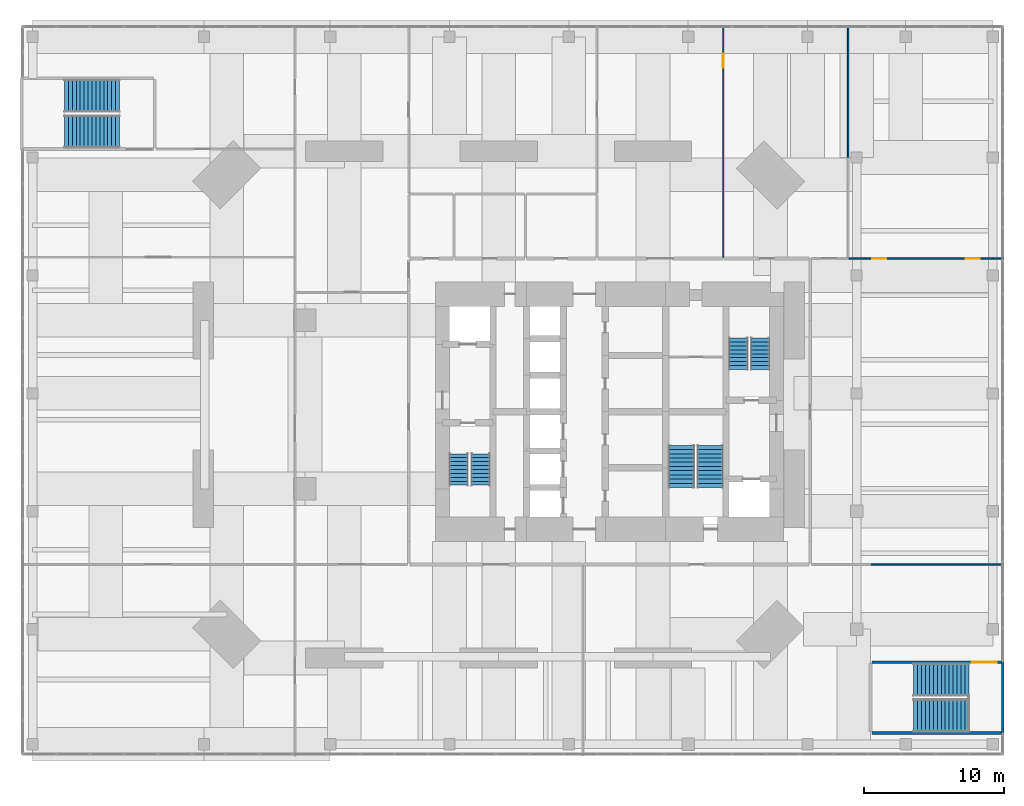
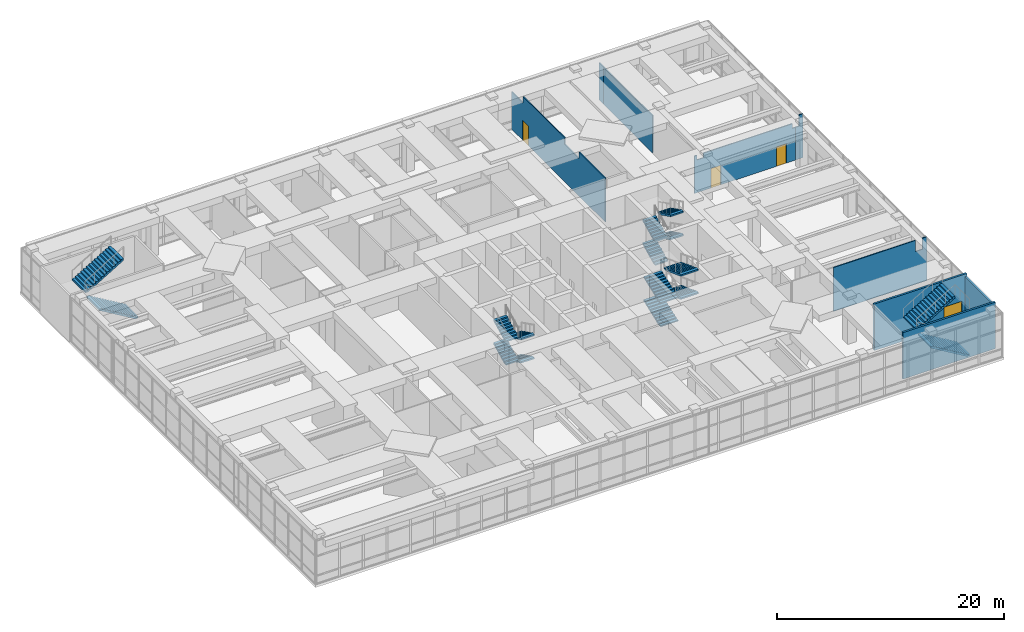
# One storey, part 22 of 24: 16 stair flights, 9 walls, 4 doors, 4 openings, 5 elements without a shape of their own.
"""IFC4 building model written with IfcOpenShell, lengths in metres."""

from ifc_helpers import new_model, si_unit, direction, frame, frame_2d, origin, place, context, subcontext, project, spatial, polyline, rectangle, outline, extrude, material, constituent, constituent_set, type_object, element, fill, aggregate, save


model = new_model("IFC4")

# Units and contexts
model_context = context("Model", 3, precision=1e-05, world=origin(), true_north=direction((0.0, 1.0)))
body_context = subcontext(model_context, "Body", "Model", "MODEL_VIEW")
ifc_project = project(units=[si_unit("LENGTHUNIT", "METRE"), si_unit("AREAUNIT", "SQUARE_METRE"), si_unit("VOLUMEUNIT", "CUBIC_METRE"), si_unit("PLANEANGLEUNIT", "RADIAN"), si_unit("MASSUNIT", "GRAM", prefix="KILO")], contexts=[model_context])

# Site, building, storey
site_placement = place(None, origin())
site = spatial("IfcSite", under=ifc_project, at=site_placement, CompositionType="ELEMENT")
building_placement = place(site_placement, origin())
building = spatial("IfcBuilding", under=site, at=building_placement, Name="Jalousie Tower", CompositionType="ELEMENT")
storey_placement = place(building_placement, frame((0.0, 0.0, 11.0)))
storey = spatial("IfcBuildingStorey", under=building, at=storey_placement, Name="L02", CompositionType="ELEMENT", Elevation=11.0)

# Walls
ifc_material_1 = material(Name="Concrete f'c 40 MPa", Category="concrete")
ifc_constituent_1 = constituent(ifc_material_1, Name="Body")
ifc_material_2 = material(Name="Render, pastel coral")
ifc_constituent_2 = constituent(ifc_material_2, Name="Finish")
ifc_constituent_set_1 = constituent_set(constituents=[ifc_constituent_1, ifc_constituent_2])
wall_type_1 = type_object("IfcWallType", Name="EXTERNAL WALL 175 CORAL RENDER", PredefinedType="SOLIDWALL", material=ifc_constituent_set_1)
wall_1_placement = place(storey_placement, frame((59.91259765625, -4.449951171875, 0.0), z_axis=(0.0, 0.0, 1.0), x_axis=(0.0, 1.0, 0.0)))
element("IfcWall", 1, at=wall_1_placement, inside=storey, type_object=wall_type_1, Name="External Wall 175 Coral Render L02", PredefinedType="SOLIDWALL", context=body_context, shape_type="SweptSolid", body=[
    extrude(rectangle(XDim=5.14990234375, YDim=0.175048828125, at=frame_2d((2.574951171875, 0.0))), origin(), (0.0, 0.0, 1.0), 4.719970703125),
])
ifc_material_3 = material(Name="Gypsum board", Category="gypsum")
ifc_constituent_3 = constituent(ifc_material_3, Name="Body")
ifc_material_4 = material(Name="Light-gauge steel studs ASTM A653 SS Grade 33", Category="steel")
ifc_constituent_4 = constituent(ifc_material_4, Name="Framing")
ifc_constituent_set_2 = constituent_set(constituents=[ifc_constituent_3, ifc_constituent_4])
wall_type_2 = type_object("IfcWallType", Name="PARTITION 100", PredefinedType="PARTITIONING", material=ifc_constituent_set_2)
wall_2_placement = place(storey_placement, frame((50.5, 7.60009765625, 0.0), z_axis=(0.0, 0.0, 1.0), x_axis=(1.0, 0.0, 0.0)))
element("IfcWall", 2, at=wall_2_placement, inside=storey, type_object=wall_type_2, Name="Partition 100 L02", PredefinedType="PARTITIONING", context=body_context, shape_type="SweptSolid", body=[
    extrude(outline(polyline([(0.0, 0.0), (9.5, 0.0), (9.5, 4.719970703125), (9.06005859375, 4.719970703125), (9.06005859375, 3.52001953125), (8.340087890625, 3.52001953125), (8.340087890625, 4.719970703125), (0.0, 4.719970703125), (0.0, 0.0)])), frame((0.0, 0.050048828125, 0.0), z_axis=(0.0, -1.0, 0.0), x_axis=(1.0, 0.0, 0.0)), (0.0, 0.0, 1.0), 0.10009765625),
])

# Wall, opening, door
wall_3_placement = place(storey_placement, frame((40.0, 29.5, 0.0), z_axis=(0.0, 0.0, 1.0), x_axis=(0.0, 1.0, 0.0)))
wall_3 = element("IfcWall", 3, at=wall_3_placement, inside=storey, type_object=wall_type_2, Name="Partition 100 L02", PredefinedType="PARTITIONING", context=body_context, shape_type="SweptSolid", body=[
    extrude(outline(polyline([(0.0, 0.0), (16.5, 0.0), (16.5, 4.719970703125), (16.5, 4.02001953125), (14.43994140625, 4.02001953125), (14.43994140625, 4.719970703125), (7.128662109375, 4.719970703125), (7.128662109375, 4.02001953125), (4.608642578125, 4.02001953125), (4.608642578125, 4.719970703125), (0.0, 4.719970703125), (0.0, 0.0)])), frame((0.0, 0.050048828125, 0.0), z_axis=(0.0, -1.0, 0.0), x_axis=(1.0, 0.0, 0.0)), (0.0, 0.0, 1.0), 0.10009765625),
])
opening_1_placement = place(wall_3_placement, frame((13.510009765625, 0.0, 0.0)))
opening_1 = element("IfcOpeningElement", 4, at=opening_1_placement, cuts=wall_3, Name="Opening D6", PredefinedType="OPENING", context=body_context, shape_type="SweptSolid", body=[
    extrude(rectangle(XDim=1.0, YDim=2.10009765625, at=frame_2d((0.5, 1.050048828125))), frame((0.0, 0.06005859375, 0.0), z_axis=(0.0, -1.0, 0.0), x_axis=(1.0, 0.0, 0.0)), (0.0, 0.0, 1.0), 0.1201171875),
])
ifc_material_5 = material(Name="Timber door", Category="wood")
door_type_1 = type_object("IfcDoorType", Name="INTERNAL DOOR 1000", OperationType="SINGLE_SWING_LEFT", PredefinedType="DOOR", material=ifc_material_5)
door_1_placement = place(opening_1_placement, origin())
door_1 = element("IfcDoor", 5, at=door_1_placement, inside=storey, type_object=door_type_1, Name="Cinema room second door", OperationType="SINGLE_SWING_RIGHT", OverallHeight=2.10009765625, OverallWidth=1.0, PredefinedType="DOOR", context=body_context, shape_type="SweptSolid", body=[
    extrude(rectangle(XDim=1.0, YDim=2.10009765625, at=frame_2d((0.5, 1.050048828125))), frame((0.0, 0.02490234375, 0.0), z_axis=(0.0, -1.0, 0.0), x_axis=(1.0, 0.0, 0.0)), (0.0, 0.0, 1.0), 0.050048828125),
])
fill(opening_1, door_1)

# Wall, openings, doors
wall_4_placement = place(storey_placement, frame((48.949951171875, 29.39990234375, 0.0), z_axis=(0.0, 0.0, 1.0), x_axis=(1.0, 0.0, 0.0)))
wall_4 = element("IfcWall", 6, at=wall_4_placement, inside=storey, type_object=wall_type_2, Name="Partition 100 L02-A", PredefinedType="PARTITIONING", context=body_context, shape_type="SweptSolid", body=[
    extrude(outline(polyline([(0.0, 0.0), (10.25, 0.0), (10.25, 3.52001953125), (9.949951171875, 3.52001953125), (9.949951171875, 4.02001953125), (0.909912109375, 4.02001953125), (0.909912109375, 3.52001953125), (0.25, 3.52001953125), (0.25, 4.02001953125), (0.0, 4.02001953125), (0.0, 0.0)])), frame((0.0, 0.050048828125, 0.0), z_axis=(0.0, -1.0, 0.0), x_axis=(1.0, 0.0, 0.0)), (0.0, 0.0, 1.0), 0.10009765625),
])
opening_2_placement = place(wall_4_placement, frame((1.669921875, 0.0, 0.0)))
opening_2 = element("IfcOpeningElement", 7, at=opening_2_placement, cuts=wall_4, Name="Opening D6", PredefinedType="OPENING", context=body_context, shape_type="SweptSolid", body=[
    extrude(rectangle(XDim=1.0, YDim=2.10009765625, at=frame_2d((0.5, 1.050048828125))), frame((0.0, 0.06005859375, 0.0), z_axis=(0.0, -1.0, 0.0), x_axis=(1.0, 0.0, 0.0)), (0.0, 0.0, 1.0), 0.1201171875),
])
opening_3_placement = place(wall_4_placement, frame((8.330078125, 0.0, 0.0)))
opening_3 = element("IfcOpeningElement", 8, at=opening_3_placement, cuts=wall_4, Name="Opening D6", PredefinedType="OPENING", context=body_context, shape_type="SweptSolid", body=[
    extrude(rectangle(XDim=1.0, YDim=2.10009765625, at=frame_2d((0.5, 1.050048828125))), frame((0.0, 0.06005859375, 0.0), z_axis=(0.0, -1.0, 0.0), x_axis=(1.0, 0.0, 0.0)), (0.0, 0.0, 1.0), 0.1201171875),
])
door_2_placement = place(opening_2_placement, origin())
door_2 = element("IfcDoor", 9, at=door_2_placement, inside=storey, type_object=door_type_1, Name="Storage lockers door", OperationType="SINGLE_SWING_LEFT", OverallHeight=2.10009765625, OverallWidth=1.0, PredefinedType="DOOR", context=body_context, shape_type="SweptSolid", body=[
    extrude(rectangle(XDim=1.0, YDim=2.10009765625, at=frame_2d((0.5, 1.050048828125))), frame((0.0, 0.02490234375, 0.0), z_axis=(0.0, -1.0, 0.0), x_axis=(1.0, 0.0, 0.0)), (0.0, 0.0, 1.0), 0.050048828125),
])
fill(opening_2, door_2)
door_3_placement = place(opening_3_placement, origin())
door_3 = element("IfcDoor", 10, at=door_3_placement, inside=storey, type_object=door_type_1, Name="Storage lockers second door", OperationType="SINGLE_SWING_RIGHT", OverallHeight=2.10009765625, OverallWidth=1.0, PredefinedType="DOOR", context=body_context, shape_type="SweptSolid", body=[
    extrude(rectangle(XDim=1.0, YDim=2.10009765625, at=frame_2d((0.5, 1.050048828125))), frame((0.0, 0.02490234375, 0.0), z_axis=(0.0, -1.0, 0.0), x_axis=(1.0, 0.0, 0.0)), (0.0, 0.0, 1.0), 0.050048828125),
])
fill(opening_3, door_3)

# Walls
wall_5_placement = place(storey_placement, frame((59.199951171875, 29.39990234375, 0.0), z_axis=(0.0, 0.0, 1.0), x_axis=(1.0, 0.0, 0.0)))
element("IfcWall", 11, at=wall_5_placement, inside=storey, type_object=wall_type_2, Name="Partition 100 L02-B", PredefinedType="PARTITIONING", context=body_context, shape_type="SweptSolid", body=[
    extrude(outline(polyline([(0.0, 0.0), (0.800048828125, 0.0), (0.800048828125, 4.719970703125), (0.360107421875, 4.719970703125), (0.360107421875, 3.52001953125), (0.0, 3.52001953125), (0.0, 0.0)])), frame((0.0, 0.050048828125, 0.0), z_axis=(0.0, -1.0, 0.0), x_axis=(1.0, 0.0, 0.0)), (0.0, 0.0, 1.0), 0.10009765625),
])
wall_6_placement = place(storey_placement, frame((48.89990234375, 36.60009765625, 0.0), z_axis=(0.0, 0.0, 1.0), x_axis=(0.0, 1.0, 0.0)))
element("IfcWall", 12, at=wall_6_placement, inside=storey, type_object=wall_type_2, Name="Partition 100 L02-B", PredefinedType="PARTITIONING", context=body_context, shape_type="SweptSolid", body=[
    extrude(rectangle(XDim=8.599853515625, YDim=0.10009765625, at=frame_2d((4.2998046875, 0.0))), origin(), (0.0, 0.0, 1.0), 4.02001953125),
])
wall_7_placement = place(storey_placement, frame((48.89990234375, 45.199951171875, 0.0), z_axis=(0.0, 0.0, 1.0), x_axis=(0.0, 1.0, 0.0)))
element("IfcWall", 13, at=wall_7_placement, inside=storey, type_object=wall_type_2, Name="Partition 100 L02-C", PredefinedType="PARTITIONING", context=body_context, shape_type="SweptSolid", body=[
    extrude(rectangle(XDim=0.800048828125, YDim=0.10009765625, at=frame_2d((0.39990234375, 0.0))), origin(), (0.0, 0.0, 1.0), 4.02001953125),
])
ifc_material_6 = material(Name="Concrete block ASTM C90", Category="concrete")
ifc_constituent_5 = constituent(ifc_material_6, Name="Body")
ifc_material_7 = material(Name="Render")
ifc_constituent_6 = constituent(ifc_material_7, Name="Finish")
ifc_constituent_set_3 = constituent_set(constituents=[ifc_constituent_5, ifc_constituent_6])
wall_type_3 = type_object("IfcWallType", Name="STAIR WALL 200", PredefinedType="SOLIDWALL", material=ifc_constituent_set_3)
wall_8_placement = place(storey_placement, frame((50.60009765625, -4.39990234375, 0.0), z_axis=(0.0, 0.0, 1.0), x_axis=(1.0, 0.0, 0.0)))
element("IfcWall", 14, at=wall_8_placement, inside=storey, type_object=wall_type_3, Name="Stair Wall 200 L02", PredefinedType="SOLIDWALL", context=body_context, shape_type="SweptSolid", body=[
    extrude(rectangle(XDim=9.39990234375, YDim=0.199951171875, at=frame_2d((4.699951171875, 0.0))), origin(), (0.0, 0.0, 1.0), 5.0),
])

# Wall, opening, door
wall_9_placement = place(storey_placement, frame((50.60009765625, 0.64990234375, 0.0), z_axis=(0.0, 0.0, 1.0), x_axis=(1.0, 0.0, 0.0)))
wall_9 = element("IfcWall", 15, at=wall_9_placement, inside=storey, type_object=wall_type_3, Name="Stair Wall 200 L02", PredefinedType="SOLIDWALL", context=body_context, shape_type="SweptSolid", body=[
    extrude(rectangle(XDim=9.39990234375, YDim=0.199951171875, at=frame_2d((4.699951171875, 0.0))), origin(), (0.0, 0.0, 1.0), 5.0),
])
opening_4_placement = place(wall_9_placement, frame((7.094970703125, 0.0, 0.0)))
opening_4 = element("IfcOpeningElement", 16, at=opening_4_placement, cuts=wall_9, Name="Opening D17", PredefinedType="OPENING", context=body_context, shape_type="SweptSolid", body=[
    extrude(rectangle(XDim=1.800048828125, YDim=2.199951171875, at=frame_2d((0.89990234375, 1.10009765625))), frame((0.0, 0.10986328125, 0.0), z_axis=(0.0, -1.0, 0.0), x_axis=(1.0, 0.0, 0.0)), (0.0, 0.0, 1.0), 0.219970703125),
])
ifc_material_8 = material(Name="Steel fire door", Category="steel")
door_type_2 = type_object("IfcDoorType", Name="STAIR DOOR 1800", OperationType="DOUBLE_DOOR_SINGLE_SWING", PredefinedType="DOOR", material=ifc_material_8)
door_4_placement = place(opening_4_placement, frame((1.800048828125, 0.0, 0.0), z_axis=(0.0, 0.0, 1.0), x_axis=(-1.0, 0.0, 0.0)))
door_4 = element("IfcDoor", 17, at=door_4_placement, inside=storey, type_object=door_type_2, Name="Stair PS2 door", OperationType="DOUBLE_DOOR_SINGLE_SWING", OverallHeight=2.199951171875, OverallWidth=1.800048828125, PredefinedType="DOOR", context=body_context, shape_type="SweptSolid", body=[
    extrude(rectangle(XDim=1.800048828125, YDim=2.199951171875, at=frame_2d((0.89990234375, 1.10009765625))), frame((0.0, 0.02490234375, 0.0), z_axis=(0.0, -1.0, 0.0), x_axis=(1.0, 0.0, 0.0)), (0.0, 0.0, 1.0), 0.050048828125),
])
fill(opening_4, door_4)

# Stair, stair flights
ifc_material_9 = material(Name="Concrete f'c 40 MPa", Category="concrete")
stair_type_1 = type_object("IfcStairType", Name="EXIT STAIR", PredefinedType="HALF_TURN_STAIR", material=ifc_material_9)
stair_1_placement = place(storey_placement, origin())
stair_1 = element("IfcStair", 18, at=stair_1_placement, inside=storey, type_object=stair_type_1, Name="Exit stair A L02", PredefinedType="HALF_TURN_STAIR")
ifc_material_10 = material(Name="Concrete f'c 40 MPa", Category="concrete")
stair_flight_type_1 = type_object("IfcStairFlightType", Name="STAIR FLIGHT", PredefinedType="STRAIGHT", material=ifc_material_10)
stair_flight_1_placement = place(storey_placement, frame((22.71875, 15.49755859375, 0.0), z_axis=(0.0, 0.0, 1.0), x_axis=(0.0, -1.0, 0.0)))
stair_flight_1 = element("IfcStairFlight", 19, at=stair_flight_1_placement, type_object=stair_flight_type_1, Name="ST-A flight 1", NumberOfRisers=9, NumberOfTreads=8, PredefinedType="STRAIGHT", RiserHeight=0.138888889, TreadLength=0.28, context=body_context, shape_type="SweptSolid", body=[
    extrude(outline(polyline([(0.0, 0.0), (0.0, 0.138916015625), (0.280029296875, 0.138916015625), (0.280029296875, 0.27783203125), (0.56005859375, 0.27783203125), (0.56005859375, 0.416748046875), (0.840087890625, 0.416748046875), (0.840087890625, 0.5556640625), (1.1201171875, 0.5556640625), (1.1201171875, 0.6943359375), (1.39990234375, 0.6943359375), (1.39990234375, 0.833251953125), (1.679931640625, 0.833251953125), (1.679931640625, 0.97216796875), (1.9599609375, 0.97216796875), (1.9599609375, 1.111083984375), (2.239990234375, 1.111083984375), (2.239990234375, 1.25), (2.239990234375, 0.94384765625), (0.33740234375, 0.0), (0.0, 0.0)])), frame((0.0, 0.65625, 0.0), z_axis=(0.0, -1.0, 0.0), x_axis=(1.0, 0.0, 0.0)), (0.0, 0.0, 1.0), 1.3125),
])
stair_flight_2_placement = place(storey_placement, frame((21.15625, 13.257568359375, 1.25), z_axis=(0.0, 0.0, 1.0), x_axis=(0.0, 1.0, 0.0)))
stair_flight_2 = element("IfcStairFlight", 20, at=stair_flight_2_placement, type_object=stair_flight_type_1, Name="ST-A flight 2", NumberOfRisers=9, NumberOfTreads=8, PredefinedType="STRAIGHT", RiserHeight=0.138888889, TreadLength=0.28, context=body_context, shape_type="SweptSolid", body=[
    extrude(outline(polyline([(0.0, 0.0), (0.0, 0.138916015625), (0.280029296875, 0.138916015625), (0.280029296875, 0.27783203125), (0.56005859375, 0.27783203125), (0.56005859375, 0.416748046875), (0.840087890625, 0.416748046875), (0.840087890625, 0.5556640625), (1.1201171875, 0.5556640625), (1.1201171875, 0.6943359375), (1.39990234375, 0.6943359375), (1.39990234375, 0.833251953125), (1.679931640625, 0.833251953125), (1.679931640625, 0.97216796875), (1.9599609375, 0.97216796875), (1.9599609375, 1.111083984375), (2.239990234375, 1.111083984375), (2.239990234375, 1.25), (2.239990234375, 0.94384765625), (0.33740234375, 0.0), (0.0, 0.0)])), frame((0.0, 0.65625, 0.0), z_axis=(0.0, -1.0, 0.0), x_axis=(1.0, 0.0, 0.0)), (0.0, 0.0, 1.0), 1.3125),
])
stair_flight_3_placement = place(storey_placement, frame((22.71875, 15.49755859375, 2.5), z_axis=(0.0, 0.0, 1.0), x_axis=(0.0, -1.0, 0.0)))
stair_flight_3 = element("IfcStairFlight", 21, at=stair_flight_3_placement, type_object=stair_flight_type_1, Name="ST-A flight 3", NumberOfRisers=9, NumberOfTreads=8, PredefinedType="STRAIGHT", RiserHeight=0.138888889, TreadLength=0.28, context=body_context, shape_type="SweptSolid", body=[
    extrude(outline(polyline([(0.0, 0.0), (0.0, 0.138916015625), (0.280029296875, 0.138916015625), (0.280029296875, 0.27783203125), (0.56005859375, 0.27783203125), (0.56005859375, 0.416748046875), (0.840087890625, 0.416748046875), (0.840087890625, 0.5556640625), (1.1201171875, 0.5556640625), (1.1201171875, 0.6943359375), (1.39990234375, 0.6943359375), (1.39990234375, 0.833251953125), (1.679931640625, 0.833251953125), (1.679931640625, 0.97216796875), (1.9599609375, 0.97216796875), (1.9599609375, 1.111083984375), (2.239990234375, 1.111083984375), (2.239990234375, 1.25), (2.239990234375, 0.94384765625), (0.33740234375, 0.0), (0.0, 0.0)])), frame((0.0, 0.65625, 0.0), z_axis=(0.0, -1.0, 0.0), x_axis=(1.0, 0.0, 0.0)), (0.0, 0.0, 1.0), 1.3125),
])
stair_flight_4_placement = place(storey_placement, frame((21.15625, 13.257568359375, 3.75), z_axis=(0.0, 0.0, 1.0), x_axis=(0.0, 1.0, 0.0)))
stair_flight_4 = element("IfcStairFlight", 22, at=stair_flight_4_placement, type_object=stair_flight_type_1, Name="ST-A flight 4", NumberOfRisers=9, NumberOfTreads=8, PredefinedType="STRAIGHT", RiserHeight=0.138888889, TreadLength=0.28, context=body_context, shape_type="SweptSolid", body=[
    extrude(outline(polyline([(0.0, 0.0), (0.0, 0.138916015625), (0.280029296875, 0.138916015625), (0.280029296875, 0.27783203125), (0.56005859375, 0.27783203125), (0.56005859375, 0.416748046875), (0.840087890625, 0.416748046875), (0.840087890625, 0.5556640625), (1.1201171875, 0.5556640625), (1.1201171875, 0.6943359375), (1.39990234375, 0.6943359375), (1.39990234375, 0.833251953125), (1.679931640625, 0.833251953125), (1.679931640625, 0.97216796875), (1.9599609375, 0.97216796875), (1.9599609375, 1.111083984375), (2.239990234375, 1.111083984375), (2.239990234375, 1.25), (2.239990234375, 0.94384765625), (0.33740234375, 0.0), (0.0, 0.0)])), frame((0.0, 0.65625, 0.0), z_axis=(0.0, -1.0, 0.0), x_axis=(1.0, 0.0, 0.0)), (0.0, 0.0, 1.0), 1.3125),
])
aggregate(stair_1, [stair_flight_1, stair_flight_2, stair_flight_3, stair_flight_4])

stair_2_placement = place(storey_placement, origin())
stair_2 = element("IfcStair", 23, at=stair_2_placement, inside=storey, type_object=stair_type_1, Name="Exit stair B L02", PredefinedType="HALF_TURN_STAIR")
stair_flight_5_placement = place(storey_placement, frame((41.081298828125, 21.50244140625, 0.0), z_axis=(0.0, 0.0, 1.0), x_axis=(0.0, 1.0, 0.0)))
stair_flight_5 = element("IfcStairFlight", 24, at=stair_flight_5_placement, type_object=stair_flight_type_1, Name="ST-B flight 1", NumberOfRisers=9, NumberOfTreads=8, PredefinedType="STRAIGHT", RiserHeight=0.138888889, TreadLength=0.28, context=body_context, shape_type="SweptSolid", body=[
    extrude(outline(polyline([(0.0, 0.0), (0.0, 0.138916015625), (0.280029296875, 0.138916015625), (0.280029296875, 0.27783203125), (0.56005859375, 0.27783203125), (0.56005859375, 0.416748046875), (0.840087890625, 0.416748046875), (0.840087890625, 0.5556640625), (1.1201171875, 0.5556640625), (1.1201171875, 0.6943359375), (1.39990234375, 0.6943359375), (1.39990234375, 0.833251953125), (1.679931640625, 0.833251953125), (1.679931640625, 0.97216796875), (1.9599609375, 0.97216796875), (1.9599609375, 1.111083984375), (2.239990234375, 1.111083984375), (2.239990234375, 1.25), (2.239990234375, 0.94384765625), (0.33740234375, 0.0), (0.0, 0.0)])), frame((0.0, 0.65625, 0.0), z_axis=(0.0, -1.0, 0.0), x_axis=(1.0, 0.0, 0.0)), (0.0, 0.0, 1.0), 1.3125),
])
stair_flight_6_placement = place(storey_placement, frame((42.643798828125, 23.742431640625, 1.25), z_axis=(0.0, 0.0, 1.0), x_axis=(0.0, -1.0, 0.0)))
stair_flight_6 = element("IfcStairFlight", 25, at=stair_flight_6_placement, type_object=stair_flight_type_1, Name="ST-B flight 2", NumberOfRisers=9, NumberOfTreads=8, PredefinedType="STRAIGHT", RiserHeight=0.138888889, TreadLength=0.28, context=body_context, shape_type="SweptSolid", body=[
    extrude(outline(polyline([(0.0, 0.0), (0.0, 0.138916015625), (0.280029296875, 0.138916015625), (0.280029296875, 0.27783203125), (0.56005859375, 0.27783203125), (0.56005859375, 0.416748046875), (0.840087890625, 0.416748046875), (0.840087890625, 0.5556640625), (1.1201171875, 0.5556640625), (1.1201171875, 0.6943359375), (1.39990234375, 0.6943359375), (1.39990234375, 0.833251953125), (1.679931640625, 0.833251953125), (1.679931640625, 0.97216796875), (1.9599609375, 0.97216796875), (1.9599609375, 1.111083984375), (2.239990234375, 1.111083984375), (2.239990234375, 1.25), (2.239990234375, 0.94384765625), (0.33740234375, 0.0), (0.0, 0.0)])), frame((0.0, 0.65625, 0.0), z_axis=(0.0, -1.0, 0.0), x_axis=(1.0, 0.0, 0.0)), (0.0, 0.0, 1.0), 1.3125),
])
stair_flight_7_placement = place(storey_placement, frame((41.081298828125, 21.50244140625, 2.5), z_axis=(0.0, 0.0, 1.0), x_axis=(0.0, 1.0, 0.0)))
stair_flight_7 = element("IfcStairFlight", 26, at=stair_flight_7_placement, type_object=stair_flight_type_1, Name="ST-B flight 3", NumberOfRisers=9, NumberOfTreads=8, PredefinedType="STRAIGHT", RiserHeight=0.138888889, TreadLength=0.28, context=body_context, shape_type="SweptSolid", body=[
    extrude(outline(polyline([(0.0, 0.0), (0.0, 0.138916015625), (0.280029296875, 0.138916015625), (0.280029296875, 0.27783203125), (0.56005859375, 0.27783203125), (0.56005859375, 0.416748046875), (0.840087890625, 0.416748046875), (0.840087890625, 0.5556640625), (1.1201171875, 0.5556640625), (1.1201171875, 0.6943359375), (1.39990234375, 0.6943359375), (1.39990234375, 0.833251953125), (1.679931640625, 0.833251953125), (1.679931640625, 0.97216796875), (1.9599609375, 0.97216796875), (1.9599609375, 1.111083984375), (2.239990234375, 1.111083984375), (2.239990234375, 1.25), (2.239990234375, 0.94384765625), (0.33740234375, 0.0), (0.0, 0.0)])), frame((0.0, 0.65625, 0.0), z_axis=(0.0, -1.0, 0.0), x_axis=(1.0, 0.0, 0.0)), (0.0, 0.0, 1.0), 1.3125),
])
stair_flight_8_placement = place(storey_placement, frame((42.643798828125, 23.742431640625, 3.75), z_axis=(0.0, 0.0, 1.0), x_axis=(0.0, -1.0, 0.0)))
stair_flight_8 = element("IfcStairFlight", 27, at=stair_flight_8_placement, type_object=stair_flight_type_1, Name="ST-B flight 4", NumberOfRisers=9, NumberOfTreads=8, PredefinedType="STRAIGHT", RiserHeight=0.138888889, TreadLength=0.28, context=body_context, shape_type="SweptSolid", body=[
    extrude(outline(polyline([(0.0, 0.0), (0.0, 0.138916015625), (0.280029296875, 0.138916015625), (0.280029296875, 0.27783203125), (0.56005859375, 0.27783203125), (0.56005859375, 0.416748046875), (0.840087890625, 0.416748046875), (0.840087890625, 0.5556640625), (1.1201171875, 0.5556640625), (1.1201171875, 0.6943359375), (1.39990234375, 0.6943359375), (1.39990234375, 0.833251953125), (1.679931640625, 0.833251953125), (1.679931640625, 0.97216796875), (1.9599609375, 0.97216796875), (1.9599609375, 1.111083984375), (2.239990234375, 1.111083984375), (2.239990234375, 1.25), (2.239990234375, 0.94384765625), (0.33740234375, 0.0), (0.0, 0.0)])), frame((0.0, 0.65625, 0.0), z_axis=(0.0, -1.0, 0.0), x_axis=(1.0, 0.0, 0.0)), (0.0, 0.0, 1.0), 1.3125),
])
aggregate(stair_2, [stair_flight_5, stair_flight_6, stair_flight_7, stair_flight_8])

stair_3_placement = place(storey_placement, origin())
stair_3 = element("IfcStair", 28, at=stair_3_placement, inside=storey, type_object=stair_type_1, Name="Exit stair C L02", PredefinedType="HALF_TURN_STAIR")
stair_flight_9_placement = place(storey_placement, frame((37.02490234375, 13.097412109375, 0.0), z_axis=(0.0, 0.0, 1.0), x_axis=(0.0, 1.0, 0.0)))
stair_flight_9 = element("IfcStairFlight", 29, at=stair_flight_9_placement, type_object=stair_flight_type_1, Name="ST-C flight 1", NumberOfRisers=11, NumberOfTreads=10, PredefinedType="STRAIGHT", RiserHeight=0.113636364, TreadLength=0.3, context=body_context, shape_type="SweptSolid", body=[
    extrude(outline(polyline([(0.0, 0.0), (0.0, 0.113525390625), (0.300048828125, 0.113525390625), (0.300048828125, 0.227294921875), (0.60009765625, 0.227294921875), (0.60009765625, 0.3408203125), (0.89990234375, 0.3408203125), (0.89990234375, 0.45458984375), (1.199951171875, 0.45458984375), (1.199951171875, 0.568115234375), (1.5, 0.568115234375), (1.5, 0.681884765625), (1.800048828125, 0.681884765625), (1.800048828125, 0.79541015625), (2.10009765625, 0.79541015625), (2.10009765625, 0.9091796875), (2.39990234375, 0.9091796875), (2.39990234375, 1.022705078125), (2.699951171875, 1.022705078125), (2.699951171875, 1.136474609375), (3.0, 1.136474609375), (3.0, 1.25), (3.0, 0.97607421875), (0.423095703125, 0.0), (0.0, 0.0)])), frame((0.0, 0.89990234375, 0.0), z_axis=(0.0, -1.0, 0.0), x_axis=(1.0, 0.0, 0.0)), (0.0, 0.0, 1.0), 1.800048828125),
])
stair_flight_10_placement = place(storey_placement, frame((39.074951171875, 16.097412109375, 1.25), z_axis=(0.0, 0.0, 1.0), x_axis=(0.0, -1.0, 0.0)))
stair_flight_10 = element("IfcStairFlight", 30, at=stair_flight_10_placement, type_object=stair_flight_type_1, Name="ST-C flight 2", NumberOfRisers=11, NumberOfTreads=10, PredefinedType="STRAIGHT", RiserHeight=0.113636364, TreadLength=0.3, context=body_context, shape_type="SweptSolid", body=[
    extrude(outline(polyline([(0.0, 0.0), (0.0, 0.113525390625), (0.300048828125, 0.113525390625), (0.300048828125, 0.227294921875), (0.60009765625, 0.227294921875), (0.60009765625, 0.3408203125), (0.89990234375, 0.3408203125), (0.89990234375, 0.45458984375), (1.199951171875, 0.45458984375), (1.199951171875, 0.568115234375), (1.5, 0.568115234375), (1.5, 0.681884765625), (1.800048828125, 0.681884765625), (1.800048828125, 0.79541015625), (2.10009765625, 0.79541015625), (2.10009765625, 0.9091796875), (2.39990234375, 0.9091796875), (2.39990234375, 1.022705078125), (2.699951171875, 1.022705078125), (2.699951171875, 1.136474609375), (3.0, 1.136474609375), (3.0, 1.25), (3.0, 0.97607421875), (0.423095703125, 0.0), (0.0, 0.0)])), frame((0.0, 0.89990234375, 0.0), z_axis=(0.0, -1.0, 0.0), x_axis=(1.0, 0.0, 0.0)), (0.0, 0.0, 1.0), 1.800048828125),
])
stair_flight_11_placement = place(storey_placement, frame((37.02490234375, 13.097412109375, 2.5), z_axis=(0.0, 0.0, 1.0), x_axis=(0.0, 1.0, 0.0)))
stair_flight_11 = element("IfcStairFlight", 31, at=stair_flight_11_placement, type_object=stair_flight_type_1, Name="ST-C flight 3", NumberOfRisers=11, NumberOfTreads=10, PredefinedType="STRAIGHT", RiserHeight=0.113636364, TreadLength=0.3, context=body_context, shape_type="SweptSolid", body=[
    extrude(outline(polyline([(0.0, 0.0), (0.0, 0.113525390625), (0.300048828125, 0.113525390625), (0.300048828125, 0.227294921875), (0.60009765625, 0.227294921875), (0.60009765625, 0.3408203125), (0.89990234375, 0.3408203125), (0.89990234375, 0.45458984375), (1.199951171875, 0.45458984375), (1.199951171875, 0.568115234375), (1.5, 0.568115234375), (1.5, 0.681884765625), (1.800048828125, 0.681884765625), (1.800048828125, 0.79541015625), (2.10009765625, 0.79541015625), (2.10009765625, 0.9091796875), (2.39990234375, 0.9091796875), (2.39990234375, 1.022705078125), (2.699951171875, 1.022705078125), (2.699951171875, 1.136474609375), (3.0, 1.136474609375), (3.0, 1.25), (3.0, 0.97607421875), (0.423095703125, 0.0), (0.0, 0.0)])), frame((0.0, 0.89990234375, 0.0), z_axis=(0.0, -1.0, 0.0), x_axis=(1.0, 0.0, 0.0)), (0.0, 0.0, 1.0), 1.800048828125),
])
stair_flight_12_placement = place(storey_placement, frame((39.074951171875, 16.097412109375, 3.75), z_axis=(0.0, 0.0, 1.0), x_axis=(0.0, -1.0, 0.0)))
stair_flight_12 = element("IfcStairFlight", 32, at=stair_flight_12_placement, type_object=stair_flight_type_1, Name="ST-C flight 4", NumberOfRisers=11, NumberOfTreads=10, PredefinedType="STRAIGHT", RiserHeight=0.113636364, TreadLength=0.3, context=body_context, shape_type="SweptSolid", body=[
    extrude(outline(polyline([(0.0, 0.0), (0.0, 0.113525390625), (0.300048828125, 0.113525390625), (0.300048828125, 0.227294921875), (0.60009765625, 0.227294921875), (0.60009765625, 0.3408203125), (0.89990234375, 0.3408203125), (0.89990234375, 0.45458984375), (1.199951171875, 0.45458984375), (1.199951171875, 0.568115234375), (1.5, 0.568115234375), (1.5, 0.681884765625), (1.800048828125, 0.681884765625), (1.800048828125, 0.79541015625), (2.10009765625, 0.79541015625), (2.10009765625, 0.9091796875), (2.39990234375, 0.9091796875), (2.39990234375, 1.022705078125), (2.699951171875, 1.022705078125), (2.699951171875, 1.136474609375), (3.0, 1.136474609375), (3.0, 1.25), (3.0, 0.97607421875), (0.423095703125, 0.0), (0.0, 0.0)])), frame((0.0, 0.89990234375, 0.0), z_axis=(0.0, -1.0, 0.0), x_axis=(1.0, 0.0, 0.0)), (0.0, 0.0, 1.0), 1.800048828125),
])
aggregate(stair_3, [stair_flight_9, stair_flight_10, stair_flight_11, stair_flight_12])

ifc_material_11 = material(Name="Concrete f'c 40 MPa", Category="concrete")
stair_type_2 = type_object("IfcStairType", Name="WIDE EXIT STAIR", PredefinedType="HALF_TURN_STAIR", material=ifc_material_11)
stair_4_placement = place(storey_placement, origin())
stair_4 = element("IfcStair", 33, at=stair_4_placement, inside=storey, type_object=stair_type_2, Name="Exit stair PS1 L02", PredefinedType="HALF_TURN_STAIR")
ifc_material_12 = material(Name="Concrete f'c 40 MPa", Category="concrete")
stair_flight_type_2 = type_object("IfcStairFlightType", Name="WIDE STAIR FLIGHT", PredefinedType="STRAIGHT", material=ifc_material_12)
stair_flight_13_placement = place(storey_placement, frame((-3.010009765625, 38.449951171875, 0.0), z_axis=(0.0, 0.0, 1.0), x_axis=(-1.0, 0.0, 0.0)))
stair_flight_13 = element("IfcStairFlight", 34, at=stair_flight_13_placement, type_object=stair_flight_type_2, Name="PS1 flight 1", NumberOfRisers=15, NumberOfTreads=14, PredefinedType="STRAIGHT", RiserHeight=0.166666667, TreadLength=0.28, context=body_context, shape_type="SweptSolid", body=[
    extrude(outline(polyline([(0.0, 0.0), (0.0, 0.166748046875), (0.280029296875, 0.166748046875), (0.280029296875, 0.333251953125), (0.56005859375, 0.333251953125), (0.56005859375, 0.5), (0.840087890625, 0.5), (0.840087890625, 0.666748046875), (1.1201171875, 0.666748046875), (1.1201171875, 0.833251953125), (1.39990234375, 0.833251953125), (1.39990234375, 1.0), (1.679931640625, 1.0), (1.679931640625, 1.166748046875), (1.9599609375, 1.166748046875), (1.9599609375, 1.333251953125), (2.239990234375, 1.333251953125), (2.239990234375, 1.5), (2.52001953125, 1.5), (2.52001953125, 1.666748046875), (2.800048828125, 1.666748046875), (2.800048828125, 1.833251953125), (3.080078125, 1.833251953125), (3.080078125, 2.0), (3.360107421875, 2.0), (3.360107421875, 2.166748046875), (3.639892578125, 2.166748046875), (3.639892578125, 2.333251953125), (3.919921875, 2.333251953125), (3.919921875, 2.5), (3.919921875, 2.158935546875), (0.29296875, 0.0), (0.0, 0.0)])), frame((0.0, 1.14990234375, 0.0), z_axis=(0.0, -1.0, 0.0), x_axis=(1.0, 0.0, 0.0)), (0.0, 0.0, 1.0), 2.300048828125),
])
stair_flight_14_placement = place(storey_placement, frame((-6.929931640625, 41.0, 2.5), z_axis=(0.0, 0.0, 1.0), x_axis=(1.0, 0.0, 0.0)))
stair_flight_14 = element("IfcStairFlight", 35, at=stair_flight_14_placement, type_object=stair_flight_type_2, Name="PS1 flight 2", NumberOfRisers=15, NumberOfTreads=14, PredefinedType="STRAIGHT", RiserHeight=0.166666667, TreadLength=0.28, context=body_context, shape_type="SweptSolid", body=[
    extrude(outline(polyline([(0.0, 0.0), (0.0, 0.166748046875), (0.280029296875, 0.166748046875), (0.280029296875, 0.333251953125), (0.56005859375, 0.333251953125), (0.56005859375, 0.5), (0.840087890625, 0.5), (0.840087890625, 0.666748046875), (1.1201171875, 0.666748046875), (1.1201171875, 0.833251953125), (1.39990234375, 0.833251953125), (1.39990234375, 1.0), (1.679931640625, 1.0), (1.679931640625, 1.166748046875), (1.9599609375, 1.166748046875), (1.9599609375, 1.333251953125), (2.239990234375, 1.333251953125), (2.239990234375, 1.5), (2.52001953125, 1.5), (2.52001953125, 1.666748046875), (2.800048828125, 1.666748046875), (2.800048828125, 1.833251953125), (3.080078125, 1.833251953125), (3.080078125, 2.0), (3.360107421875, 2.0), (3.360107421875, 2.166748046875), (3.639892578125, 2.166748046875), (3.639892578125, 2.333251953125), (3.919921875, 2.333251953125), (3.919921875, 2.5), (3.919921875, 2.158935546875), (0.29296875, 0.0), (0.0, 0.0)])), frame((0.0, 1.14990234375, 0.0), z_axis=(0.0, -1.0, 0.0), x_axis=(1.0, 0.0, 0.0)), (0.0, 0.0, 1.0), 2.300048828125),
])
aggregate(stair_4, [stair_flight_13, stair_flight_14])

stair_5_placement = place(storey_placement, origin())
stair_5 = element("IfcStair", 36, at=stair_5_placement, inside=storey, type_object=stair_type_2, Name="Exit stair PS2 L02", PredefinedType="HALF_TURN_STAIR")
stair_flight_15_placement = place(storey_placement, frame((57.489990234375, -3.14990234375, 0.0), z_axis=(0.0, 0.0, 1.0), x_axis=(-1.0, 0.0, 0.0)))
stair_flight_15 = element("IfcStairFlight", 37, at=stair_flight_15_placement, type_object=stair_flight_type_2, Name="PS2 flight 1", NumberOfRisers=15, NumberOfTreads=14, PredefinedType="STRAIGHT", RiserHeight=0.166666667, TreadLength=0.28, context=body_context, shape_type="SweptSolid", body=[
    extrude(outline(polyline([(0.0, 0.0), (0.0, 0.166748046875), (0.280029296875, 0.166748046875), (0.280029296875, 0.333251953125), (0.56005859375, 0.333251953125), (0.56005859375, 0.5), (0.840087890625, 0.5), (0.840087890625, 0.666748046875), (1.1201171875, 0.666748046875), (1.1201171875, 0.833251953125), (1.39990234375, 0.833251953125), (1.39990234375, 1.0), (1.679931640625, 1.0), (1.679931640625, 1.166748046875), (1.9599609375, 1.166748046875), (1.9599609375, 1.333251953125), (2.239990234375, 1.333251953125), (2.239990234375, 1.5), (2.52001953125, 1.5), (2.52001953125, 1.666748046875), (2.800048828125, 1.666748046875), (2.800048828125, 1.833251953125), (3.080078125, 1.833251953125), (3.080078125, 2.0), (3.360107421875, 2.0), (3.360107421875, 2.166748046875), (3.639892578125, 2.166748046875), (3.639892578125, 2.333251953125), (3.919921875, 2.333251953125), (3.919921875, 2.5), (3.919921875, 2.158935546875), (0.29296875, 0.0), (0.0, 0.0)])), frame((0.0, 1.14990234375, 0.0), z_axis=(0.0, -1.0, 0.0), x_axis=(1.0, 0.0, 0.0)), (0.0, 0.0, 1.0), 2.300048828125),
])
stair_flight_16_placement = place(storey_placement, frame((53.570068359375, -0.60009765625, 2.5), z_axis=(0.0, 0.0, 1.0), x_axis=(1.0, 0.0, 0.0)))
stair_flight_16 = element("IfcStairFlight", 38, at=stair_flight_16_placement, type_object=stair_flight_type_2, Name="PS2 flight 2", NumberOfRisers=15, NumberOfTreads=14, PredefinedType="STRAIGHT", RiserHeight=0.166666667, TreadLength=0.28, context=body_context, shape_type="SweptSolid", body=[
    extrude(outline(polyline([(0.0, 0.0), (0.0, 0.166748046875), (0.280029296875, 0.166748046875), (0.280029296875, 0.333251953125), (0.56005859375, 0.333251953125), (0.56005859375, 0.5), (0.840087890625, 0.5), (0.840087890625, 0.666748046875), (1.1201171875, 0.666748046875), (1.1201171875, 0.833251953125), (1.39990234375, 0.833251953125), (1.39990234375, 1.0), (1.679931640625, 1.0), (1.679931640625, 1.166748046875), (1.9599609375, 1.166748046875), (1.9599609375, 1.333251953125), (2.239990234375, 1.333251953125), (2.239990234375, 1.5), (2.52001953125, 1.5), (2.52001953125, 1.666748046875), (2.800048828125, 1.666748046875), (2.800048828125, 1.833251953125), (3.080078125, 1.833251953125), (3.080078125, 2.0), (3.360107421875, 2.0), (3.360107421875, 2.166748046875), (3.639892578125, 2.166748046875), (3.639892578125, 2.333251953125), (3.919921875, 2.333251953125), (3.919921875, 2.5), (3.919921875, 2.158935546875), (0.29296875, 0.0), (0.0, 0.0)])), frame((0.0, 1.14990234375, 0.0), z_axis=(0.0, -1.0, 0.0), x_axis=(1.0, 0.0, 0.0)), (0.0, 0.0, 1.0), 2.300048828125),
])
aggregate(stair_5, [stair_flight_15, stair_flight_16])

save(model, "model.ifc")
